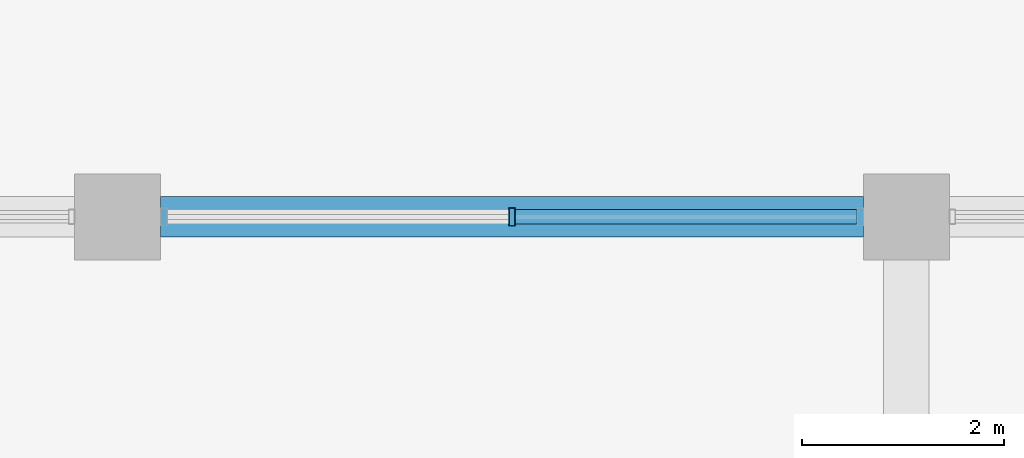
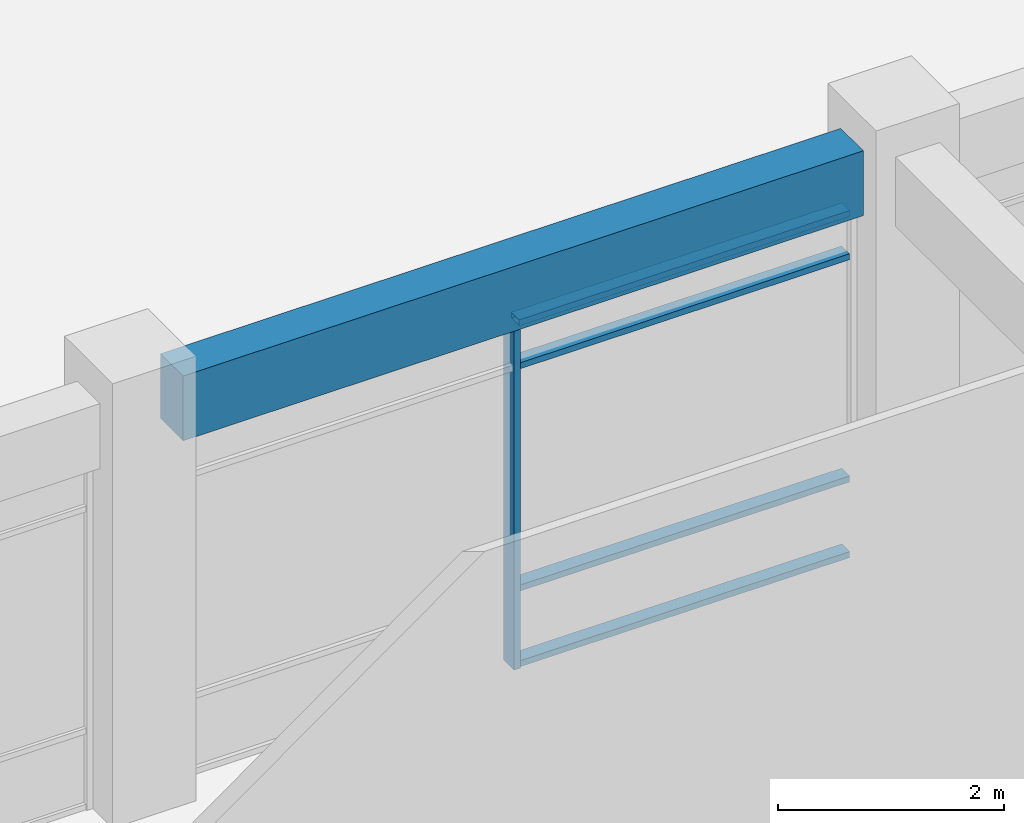
# One storey, part 13 of 74: 5 members, 1 beam, 1 element without a shape of its own.
"""IFC4 building model written with IfcOpenShell, lengths in metres."""

from ifc_helpers import new_model, si_unit, direction, frame, origin, origin_2d, place, context, subcontext, project, spatial, rectangle, hollow_rectangle, extrude, material, material_profile, profile_set, type_object, element, aggregate, save


model = new_model("IFC4")

# Units and contexts
model_context = context("Model", 3, precision=1e-05, world=origin(), true_north=direction((0.0, 1.0)))
body_context = subcontext(model_context, "Body", "Model", "MODEL_VIEW")
ifc_project = project(units=[si_unit("LENGTHUNIT", "METRE"), si_unit("AREAUNIT", "SQUARE_METRE"), si_unit("VOLUMEUNIT", "CUBIC_METRE"), si_unit("PLANEANGLEUNIT", "RADIAN"), si_unit("MASSUNIT", "GRAM", prefix="KILO"), si_unit("THERMODYNAMICTEMPERATUREUNIT", "KELVIN"), si_unit("POWERUNIT", "WATT")], contexts=[model_context])

# Site, building, storey
site_placement = place(None, origin())
site = spatial("IfcSite", under=ifc_project, at=site_placement, CompositionType="ELEMENT")
building_placement = place(site_placement, origin())
building = spatial("IfcBuilding", under=site, at=building_placement, Name="Srebrne Nadtorze General Hospital", CompositionType="ELEMENT")
storey_placement = place(building_placement, origin())
storey = spatial("IfcBuildingStorey", under=building, at=storey_placement, Name="L00", CompositionType="ELEMENT", Elevation=0.0)

# Curtain wall, members
ifc_material_1 = material(Name="Anodised Aluminium", Category="aluminium")
curtain_wall_type = type_object("IfcCurtainWallType", Name="Unitised curtain wall 6950x3750", PredefinedType="NOTDEFINED", material=ifc_material_1)
curtain_wall_placement = place(storey_placement, origin())
curtain_wall = element("IfcCurtainWall", 1, at=curtain_wall_placement, inside=storey, type_object=curtain_wall_type, Name="Curtain wall CW-007", PredefinedType="NOTDEFINED")
ifc_material_2 = material(Name="Anodised Aluminium", Category="aluminium")
ifc_material_profile_1 = material_profile(ifc_material_2, hollow_rectangle(XDim=0.06494140625, YDim=0.179931640625, WallThickness=0.00390625, at=origin_2d()), Name="AL-MUL-65x180")
ifc_profile_set_1 = profile_set([ifc_material_profile_1], Name="Anodised Aluminium")
member_type_1 = type_object("IfcMemberType", Name="Curtain mullion 65x180", PredefinedType="MULLION", material=ifc_profile_set_1)
member_1_placement = place(storey_placement, frame((74.10009765625, 25.199951171875, 0.0), z_axis=(0.0, 0.0, 1.0), x_axis=(1.0, 0.0, 0.0)))
member_1 = element("IfcMember", 2, at=member_1_placement, type_object=member_type_1, Name="CW-007 mullion 2", PredefinedType="MULLION", context=body_context, shape_type="SweptSolid", body=[
    extrude(hollow_rectangle(XDim=0.06494140625, YDim=0.179931640625, WallThickness=0.00390625, at=origin_2d()), origin(), (0.0, 0.0, 1.0), 3.75),
])
ifc_material_3 = material(Name="Anodised Aluminium", Category="aluminium")
ifc_material_profile_2 = material_profile(ifc_material_3, hollow_rectangle(XDim=0.06494140625, YDim=0.139892578125, WallThickness=0.00390625, at=origin_2d()), Name="AL-TRN-65x140")
ifc_profile_set_2 = profile_set([ifc_material_profile_2], Name="Anodised Aluminium")
member_type_2 = type_object("IfcMemberType", Name="Curtain transom 65x140", PredefinedType="USERDEFINED", material=ifc_profile_set_2)
member_2_placement = place(storey_placement, frame((74.132568359375, 25.199951171875, 0.032470703125), z_axis=(1.0, 0.0, 0.0), x_axis=(0.0, 0.0, 1.0)))
member_2 = element("IfcMember", 3, at=member_2_placement, type_object=member_type_2, Name="CW-007 transom 2.1", ObjectType="TRANSOM", PredefinedType="USERDEFINED", context=body_context, shape_type="SweptSolid", body=[
    extrude(hollow_rectangle(XDim=0.06494140625, YDim=0.139892578125, WallThickness=0.00390625, at=origin_2d()), origin(), (0.0, 0.0, 1.0), 3.37744140625),
])
member_3_placement = place(storey_placement, frame((74.132568359375, 25.199951171875, 0.85009765625), z_axis=(1.0, 0.0, 0.0), x_axis=(0.0, 0.0, 1.0)))
member_3 = element("IfcMember", 4, at=member_3_placement, type_object=member_type_2, Name="CW-007 transom 2.2", ObjectType="TRANSOM", PredefinedType="USERDEFINED", context=body_context, shape_type="SweptSolid", body=[
    extrude(hollow_rectangle(XDim=0.06494140625, YDim=0.139892578125, WallThickness=0.00390625, at=origin_2d()), origin(), (0.0, 0.0, 1.0), 3.37744140625),
])
member_4_placement = place(storey_placement, frame((74.132568359375, 25.199951171875, 3.25), z_axis=(1.0, 0.0, 0.0), x_axis=(0.0, 0.0, 1.0)))
member_4 = element("IfcMember", 5, at=member_4_placement, type_object=member_type_2, Name="CW-007 transom 2.3", ObjectType="TRANSOM", PredefinedType="USERDEFINED", context=body_context, shape_type="SweptSolid", body=[
    extrude(hollow_rectangle(XDim=0.06494140625, YDim=0.139892578125, WallThickness=0.00390625, at=origin_2d()), origin(), (0.0, 0.0, 1.0), 3.37744140625),
])
member_5_placement = place(storey_placement, frame((74.132568359375, 25.199951171875, 3.717529296875), z_axis=(1.0, 0.0, 0.0), x_axis=(0.0, 0.0, 1.0)))
member_5 = element("IfcMember", 6, at=member_5_placement, type_object=member_type_2, Name="CW-007 transom 2.4", ObjectType="TRANSOM", PredefinedType="USERDEFINED", context=body_context, shape_type="SweptSolid", body=[
    extrude(hollow_rectangle(XDim=0.06494140625, YDim=0.139892578125, WallThickness=0.00390625, at=origin_2d()), origin(), (0.0, 0.0, 1.0), 3.37744140625),
])
aggregate(curtain_wall, [member_1, member_2, member_3, member_4, member_5])

# Beam
ifc_material_4 = material(Name="Concrete C40/50", Category="concrete")
ifc_material_profile_3 = material_profile(ifc_material_4, rectangle(XDim=0.39990234375, YDim=0.699951171875, at=origin_2d()), Name="RC-BM-400x700")
ifc_profile_set_3 = profile_set([ifc_material_profile_3], Name="Concrete C40/50")
beam_type = type_object("IfcBeamType", Name="Edge beam RC 400x700", PredefinedType="BEAM", material=ifc_profile_set_3)
beam_placement = place(storey_placement, frame((70.625, 25.199951171875, 4.10009765625), z_axis=(1.0, 0.0, 0.0), x_axis=(0.0, 1.0, 0.0)))
element("IfcBeam", 7, at=beam_placement, inside=storey, type_object=beam_type, Name="Beam BM-L00-X-0205", PredefinedType="BEAM", context=body_context, shape_type="SweptSolid", body=[
    extrude(rectangle(XDim=0.39990234375, YDim=0.699951171875, at=origin_2d()), origin(), (0.0, 0.0, 1.0), 6.949951171875),
])

save(model, "model.ifc")
